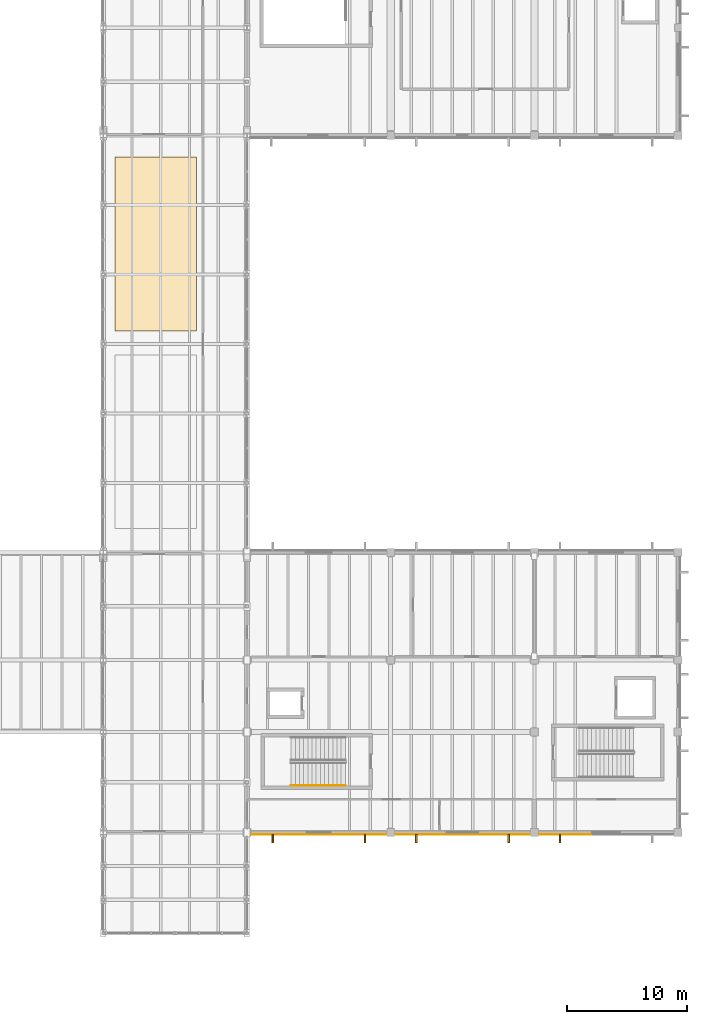
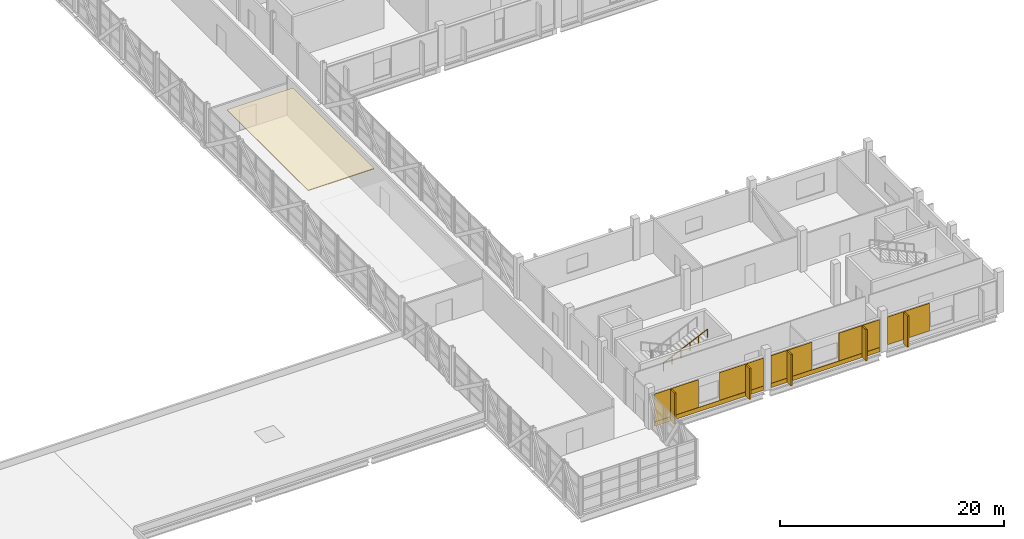
# One storey, part 61 of 63: 13 coverings, 5 shading devices, 1 railing.
"""IFC4 building model written with IfcOpenShell, lengths in metres."""

from ifc_helpers import new_model, si_unit, direction, frame, origin, origin_2d, place, context, subcontext, project, spatial, polyline, rectangle, circle, outline, extrude, material, layer, layer_set, type_object, element, save


model = new_model("IFC4")

# Units and contexts
model_context = context("Model", 3, precision=1e-05, world=origin(), true_north=direction((0.0, 1.0)))
body_context = subcontext(model_context, "Body", "Model", "MODEL_VIEW")
ifc_project = project(units=[si_unit("LENGTHUNIT", "METRE"), si_unit("AREAUNIT", "SQUARE_METRE"), si_unit("VOLUMEUNIT", "CUBIC_METRE"), si_unit("PLANEANGLEUNIT", "RADIAN"), si_unit("MASSUNIT", "GRAM", prefix="KILO")], contexts=[model_context])

# Site, building, storey
site_placement = place(None, origin())
site = spatial("IfcSite", under=ifc_project, at=site_placement, CompositionType="ELEMENT")
building_placement = place(site_placement, origin())
building = spatial("IfcBuilding", under=site, at=building_placement, Name="Kelmvaro Bay Concert Hall", CompositionType="ELEMENT")
storey_placement = place(building_placement, frame((0.0, 0.0, 13.800048828125)))
storey = spatial("IfcBuildingStorey", under=building, at=storey_placement, Name="L03", CompositionType="ELEMENT", Elevation=13.800048828125)

# Shading devices
ifc_material_1 = material(Name="Anodised Extruded Aluminium 6063-T6", Category="aluminium")
ifc_layer_1 = layer(ifc_material_1, 3.39990234375)
ifc_layer_set_1 = layer_set([ifc_layer_1], Name="Anodised Extruded Aluminium 6063-T6")
shading_device_type = type_object("IfcShadingDeviceType", Name="Bauhaus Vertical Solar Brise-Soleil Fin 720x3400", PredefinedType="SHUTTER", material=ifc_layer_set_1)
for number, where, z_axis, x_axis, name in (
    (1, (141.85888671875, 15.10400390625, 0.06005859375), (0.0, 0.0, 1.0), (-1.0, 0.0, 0.0), "L03 Solar Brise-Soleil Fin 167"),
    (2, (134.14111328125, 15.10400390625, 0.06005859375), (0.0, 0.0, 1.0), (-1.0, 0.0, 0.0), "L03 Solar Brise-Soleil Fin 168"),
    (3, (153.85888671875, 15.10400390625, 0.06005859375), (0.0, 0.0, 1.0), (-1.0, 0.0, 0.0), "L03 Solar Brise-Soleil Fin 169"),
    (4, (146.14111328125, 15.10400390625, 0.06005859375), (0.0, 0.0, 1.0), (-1.0, 0.0, 0.0), "L03 Solar Brise-Soleil Fin 170"),
    (5, (158.14111328125, 15.10400390625, 0.06005859375), (0.0, 0.0, 1.0), (-1.0, 0.0, 0.0), "L03 Solar Brise-Soleil Fin 172"),
):
    element("IfcShadingDevice", number, at=place(storey_placement, frame(where, z_axis=z_axis, x_axis=x_axis)), inside=storey, type_object=shading_device_type, Name=name, PredefinedType="SHUTTER", context=body_context, shape_type="SweptSolid", body=[
        extrude(rectangle(XDim=0.159912109375, YDim=0.719970703125, at=origin_2d()), origin(), (0.0, 0.0, 1.0), 3.39990234375),
    ])

# Coverings
ifc_material_2 = material(Name="Curved Laminated Rock Maple Acoustic Panel")
ifc_layer_2 = layer(ifc_material_2, 0.0849609375)
ifc_layer_set_2 = layer_set([ifc_layer_2], Name="Curved Laminated Rock Maple Acoustic Panel")
covering_type_1 = type_object("IfcCoveringType", Name="Curved Maple Acoustic Reflector Cloud Ceiling 85", PredefinedType="CEILING", material=ifc_layer_set_2)
covering_1_placement = place(storey_placement, frame((0.0, 0.0, 4.135009765625)))
element("IfcCovering", 6, at=covering_1_placement, inside=storey, type_object=covering_type_1, Name="L03 Acoustic Ceiling 12", PredefinedType="CEILING", context=body_context, shape_type="SweptSolid", body=[
    extrude(outline(polyline([(127.800048828125, 57.5), (127.800048828125, 72.0), (121.0, 72.0), (121.0, 57.5), (127.800048828125, 57.5)])), origin(), (0.0, 0.0, 1.0), 0.0849609375),
])
ifc_material_3 = material(Name="PVDF-Coated Architectural Aluminium", Category="aluminium")
ifc_layer_3 = layer(ifc_material_3, 0.0400390625)
ifc_layer_set_3 = layer_set([ifc_layer_3], Name="PVDF-Coated Architectural Aluminium")
covering_type_2 = type_object("IfcCoveringType", Name="De Stijl Enamelled Aluminium Fascia Panel 40", PredefinedType="CLADDING", material=ifc_layer_set_3)
for number, where, z_axis, x_axis, name in (
    (7, (141.85888671875, 15.10400390625, 0.06005859375), (0.0, 0.0, 1.0), (-1.0, 0.0, 0.0), "L03 Architectural Vertical Fin Cladding 0798"),
    (8, (134.14111328125, 15.10400390625, 0.06005859375), (0.0, 0.0, 1.0), (-1.0, 0.0, 0.0), "L03 Architectural Vertical Fin Cladding 0799"),
    (9, (153.85888671875, 15.10400390625, 0.06005859375), (0.0, 0.0, 1.0), (-1.0, 0.0, 0.0), "L03 Architectural Vertical Fin Cladding 0803"),
    (10, (146.14111328125, 15.10400390625, 0.06005859375), (0.0, 0.0, 1.0), (-1.0, 0.0, 0.0), "L03 Architectural Vertical Fin Cladding 0804"),
    (11, (158.14111328125, 15.10400390625, 0.06005859375), (0.0, 0.0, 1.0), (-1.0, 0.0, 0.0), "L03 Architectural Vertical Fin Cladding 0809"),
):
    element("IfcCovering", number, at=place(storey_placement, frame(where, z_axis=z_axis, x_axis=x_axis)), inside=storey, type_object=covering_type_2, Name=name, PredefinedType="CLADDING", context=body_context, shape_type="SweptSolid", body=[
        extrude(rectangle(XDim=0.139892578125, YDim=0.699951171875, at=origin_2d()), origin(), (0.0, 0.0, 1.0), 3.39990234375),
    ])
ifc_material_4 = material(Name="Honed Florida Limestone Travertine", Category="masonry")
ifc_layer_4 = layer(ifc_material_4, 0.054931640625)
ifc_layer_set_4 = layer_set([ifc_layer_4], Name="Honed Florida Limestone Travertine")
covering_type_3 = type_object("IfcCoveringType", Name="Honed Florida Travertine Rainscreen Cladding 55", PredefinedType="CLADDING", material=ifc_layer_set_4)
covering_2_placement = place(storey_placement, frame((138.0, 15.4345703125, 0.0400390625), z_axis=(0.0, 0.0, 1.0), x_axis=(-1.0, 0.0, 0.0)))
element("IfcCovering", 12, at=covering_2_placement, inside=storey, type_object=covering_type_3, Name="L03 Travertine Sill Band 0797", PredefinedType="CLADDING", context=body_context, shape_type="SweptSolid", body=[
    extrude(rectangle(XDim=11.22998046875, YDim=0.054931640625, at=origin_2d()), origin(), (0.0, 0.0, 1.0), 0.4599609375),
])
for number, where, z_axis, x_axis, name in (
    (13, (141.347412109375, 15.4345703125, 0.52001953125), (0.0, 0.0, 1.0), (-1.0, 0.0, 0.0), "L03 Travertine Pier Panel 0800"),
    (14, (134.652587890625, 15.4345703125, 0.52001953125), (0.0, 0.0, 1.0), (-1.0, 0.0, 0.0), "L03 Travertine Pier Panel 0801"),
):
    element("IfcCovering", number, at=place(storey_placement, frame(where, z_axis=z_axis, x_axis=x_axis)), inside=storey, type_object=covering_type_3, Name=name, PredefinedType="CLADDING", context=body_context, shape_type="SweptSolid", body=[
        extrude(rectangle(XDim=4.4951171875, YDim=0.054931640625, at=origin_2d()), origin(), (0.0, 0.0, 1.0), 3.01904296875),
    ])
covering_3_placement = place(storey_placement, frame((150.0, 15.4345703125, 0.0400390625), z_axis=(0.0, 0.0, 1.0), x_axis=(-1.0, 0.0, 0.0)))
element("IfcCovering", 15, at=covering_3_placement, inside=storey, type_object=covering_type_3, Name="L03 Travertine Sill Band 0802", PredefinedType="CLADDING", context=body_context, shape_type="SweptSolid", body=[
    extrude(rectangle(XDim=11.22998046875, YDim=0.054931640625, at=origin_2d()), origin(), (0.0, 0.0, 1.0), 0.4599609375),
])
for number, where, z_axis, x_axis, name in (
    (16, (153.49755859375, 15.4345703125, 0.52001953125), (0.0, 0.0, 1.0), (-1.0, 0.0, 0.0), "L03 Travertine Pier Panel 0805"),
    (17, (146.50244140625, 15.4345703125, 0.52001953125), (0.0, 0.0, 1.0), (-1.0, 0.0, 0.0), "L03 Travertine Pier Panel 0806"),
):
    element("IfcCovering", number, at=place(storey_placement, frame(where, z_axis=z_axis, x_axis=x_axis)), inside=storey, type_object=covering_type_3, Name=name, PredefinedType="CLADDING", context=body_context, shape_type="SweptSolid", body=[
        extrude(rectangle(XDim=4.195068359375, YDim=0.054931640625, at=origin_2d()), origin(), (0.0, 0.0, 1.0), 3.01904296875),
    ])
covering_4_placement = place(storey_placement, frame((158.577392578125, 15.4345703125, 0.52001953125), z_axis=(0.0, 0.0, 1.0), x_axis=(-1.0, 0.0, 0.0)))
element("IfcCovering", 18, at=covering_4_placement, inside=storey, type_object=covering_type_3, Name="L03 Travertine Pier Panel 0811", PredefinedType="CLADDING", context=body_context, shape_type="SweptSolid", body=[
    extrude(rectangle(XDim=4.344970703125, YDim=0.054931640625, at=origin_2d()), origin(), (0.0, 0.0, 1.0), 3.01904296875),
])

# Railing
ifc_material_5 = material(Name="Brushed Stainless Steel 316", Category="steel")
railing_type = type_object("IfcRailingType", Name="Stair Stainless Wall Handrail 900", PredefinedType="HANDRAIL", material=ifc_material_5)
railing_placement = place(storey_placement, frame((135.696044921875, 19.5400390625, 2.41064453125)))
element("IfcRailing", 19, at=railing_placement, inside=storey, type_object=railing_type, Name="L03 ST-05 stair handrail 2", PredefinedType="HANDRAIL", context=body_context, shape_type="SweptSolid", body=[
    extrude(circle(Radius=0.02392578125, at=origin_2d()), frame((0.0, 0.0, 0.8759765625), z_axis=(0.907853242209, 0.0, 0.419288075922), x_axis=(0.0, 1.0, 0.0)), (0.0, 0.0, 1.0), 4.983154296875),
    extrude(circle(Radius=0.02099609375, at=origin_2d()), origin(), (0.0, 0.0, 1.0), 0.851806640625),
    extrude(circle(Radius=0.02099609375, at=origin_2d()), frame((0.90478515625, 0.0, 0.41796875)), (0.0, 0.0, 1.0), 0.851806640625),
    extrude(circle(Radius=0.02099609375, at=origin_2d()), frame((1.8095703125, 0.0, 0.835693359375)), (0.0, 0.0, 1.0), 0.851806640625),
    extrude(circle(Radius=0.02099609375, at=origin_2d()), frame((2.71435546875, 0.0, 1.253662109375)), (0.0, 0.0, 1.0), 0.851806640625),
    extrude(circle(Radius=0.02099609375, at=origin_2d()), frame((3.619140625, 0.0, 1.67138671875)), (0.0, 0.0, 1.0), 0.851806640625),
    extrude(circle(Radius=0.02099609375, at=origin_2d()), frame((4.52392578125, 0.0, 2.08935546875)), (0.0, 0.0, 1.0), 0.851806640625),
])

save(model, "model.ifc")
